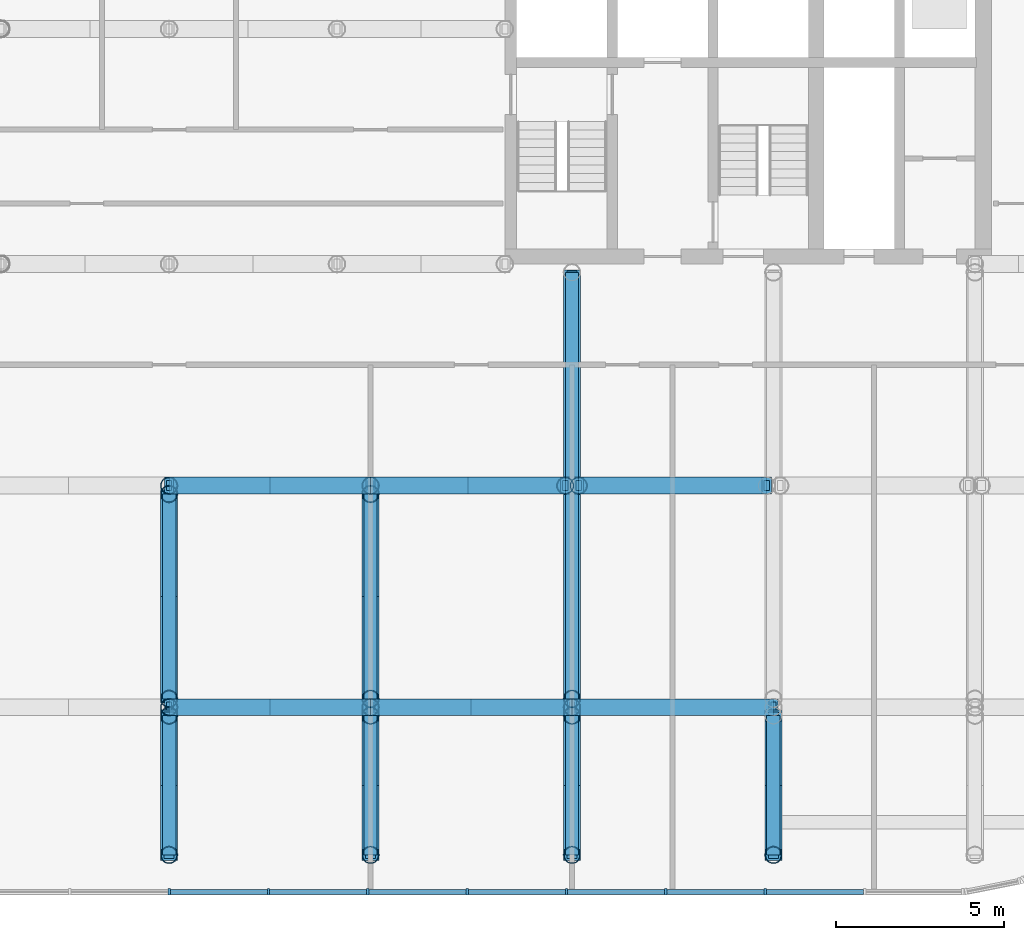
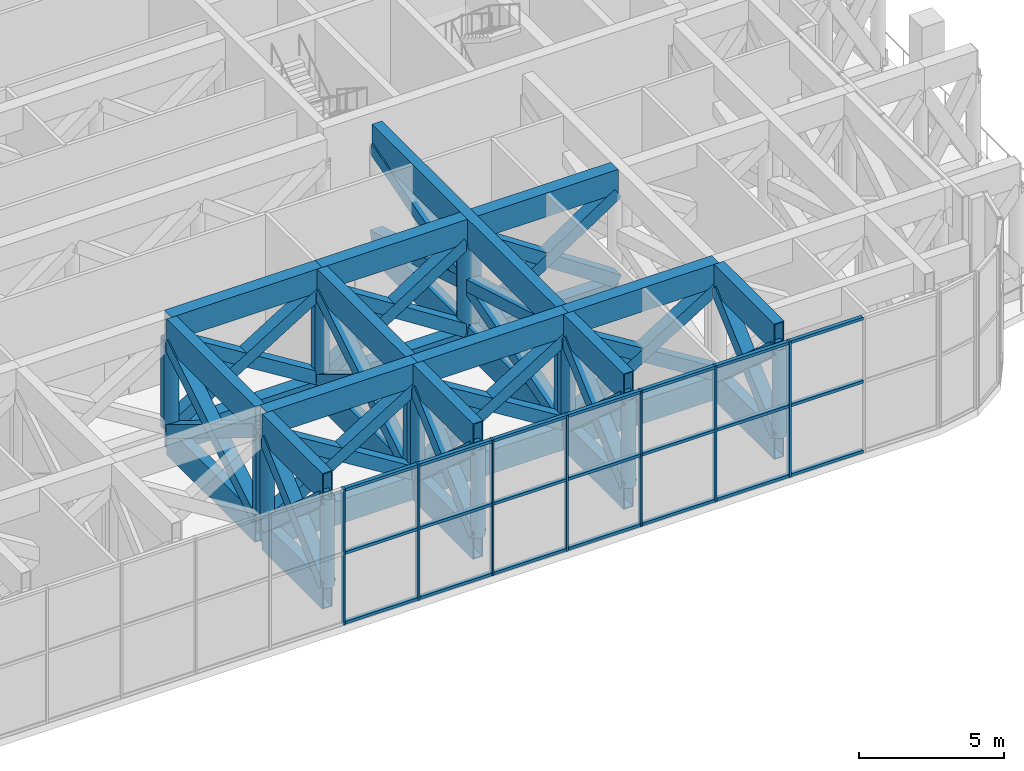
# One storey, part 4 of 25: 73 members, 26 beams, 1 element without a shape of its own.
"""IFC4 building model written with IfcOpenShell, lengths in metres."""

from ifc_helpers import new_model, si_unit, direction, frame, origin, origin_2d, place, context, subcontext, project, spatial, rectangle, hollow_rectangle, hollow_circle, extrude, material, layer, layer_set, material_profile, profile_set, type_object, element, aggregate, save


model = new_model("IFC4")

# Units and contexts
model_context = context("Model", 3, precision=1e-05, world=origin(), true_north=direction((0.0, 1.0)))
body_context = subcontext(model_context, "Body", "Model", "MODEL_VIEW")
ifc_project = project(units=[si_unit("LENGTHUNIT", "METRE"), si_unit("AREAUNIT", "SQUARE_METRE"), si_unit("VOLUMEUNIT", "CUBIC_METRE"), si_unit("PLANEANGLEUNIT", "RADIAN"), si_unit("MASSUNIT", "GRAM", prefix="KILO")], contexts=[model_context])

# Site, building, storey
site_placement = place(None, origin())
site = spatial("IfcSite", under=ifc_project, at=site_placement, CompositionType="ELEMENT")
building_placement = place(site_placement, origin())
building = spatial("IfcBuilding", under=site, at=building_placement, Name="Torana Hotel and Residences", CompositionType="ELEMENT")
storey_placement = place(building_placement, frame((0.0, 0.0, 106.800048828125)))
storey = spatial("IfcBuildingStorey", under=building, at=storey_placement, Name="L27", CompositionType="ELEMENT", Elevation=106.800048828125)

# Curtain wall, members
ifc_material_1 = material(Name="Dark anodised aluminium", Category="aluminium")
ifc_layer = layer(ifc_material_1, 0.199951171875)
ifc_layer_set = layer_set([ifc_layer], Name="CW2 SKY LOBBY UNITISED CURTAIN WALL")
curtain_wall_type = type_object("IfcCurtainWallType", Name="CW2 SKY LOBBY UNITISED CURTAIN WALL", PredefinedType="NOTDEFINED", material=ifc_layer_set)
curtain_wall_placement = place(storey_placement, origin())
curtain_wall = element("IfcCurtainWall", 1, at=curtain_wall_placement, inside=storey, type_object=curtain_wall_type, Name="Curtain wall CW2 L27 e0.14-1", PredefinedType="NOTDEFINED")
ifc_material_2 = material(Name="Dark anodised aluminium", Category="aluminium")
ifc_material_profile_1 = material_profile(ifc_material_2, rectangle(XDim=0.199951171875, YDim=0.070068359375, at=origin_2d()), Name="CW2 MULLION 70x200")
ifc_profile_set_1 = profile_set([ifc_material_profile_1], Name="Dark anodised aluminium")
member_type_1 = type_object("IfcMemberType", Name="CW2 MULLION 70x200", PredefinedType="MULLION", material=ifc_profile_set_1)
member_1_placement = place(storey_placement, frame((0.0, -33.699951171875, 0.0), z_axis=(0.0, 0.0, 1.0), x_axis=(0.0, 1.0, 0.0)))
member_1 = element("IfcMember", 2, at=member_1_placement, type_object=member_type_1, Name="CW2 mullion 9", PredefinedType="MULLION", context=body_context, shape_type="SweptSolid", body=[
    extrude(rectangle(XDim=0.199951171875, YDim=0.070068359375, at=origin_2d()), origin(), (0.0, 0.0, 1.0), 5.719970703125),
])
member_2_placement = place(storey_placement, frame((2.95947265625, -33.699951171875, 0.0), z_axis=(0.0, 0.0, 1.0), x_axis=(0.0, 1.0, 0.0)))
member_2 = element("IfcMember", 3, at=member_2_placement, type_object=member_type_1, Name="CW2 mullion 10", PredefinedType="MULLION", context=body_context, shape_type="SweptSolid", body=[
    extrude(rectangle(XDim=0.199951171875, YDim=0.070068359375, at=origin_2d()), origin(), (0.0, 0.0, 1.0), 5.719970703125),
])
member_3_placement = place(storey_placement, frame((5.9189453125, -33.699951171875, 0.0), z_axis=(0.0, 0.0, 1.0), x_axis=(0.0, 1.0, 0.0)))
member_3 = element("IfcMember", 4, at=member_3_placement, type_object=member_type_1, Name="CW2 mullion 11", PredefinedType="MULLION", context=body_context, shape_type="SweptSolid", body=[
    extrude(rectangle(XDim=0.199951171875, YDim=0.070068359375, at=origin_2d()), origin(), (0.0, 0.0, 1.0), 5.719970703125),
])
member_4_placement = place(storey_placement, frame((8.878173828125, -33.699951171875, 0.0), z_axis=(0.0, 0.0, 1.0), x_axis=(0.0, 1.0, 0.0)))
member_4 = element("IfcMember", 5, at=member_4_placement, type_object=member_type_1, Name="CW2 mullion 12", PredefinedType="MULLION", context=body_context, shape_type="SweptSolid", body=[
    extrude(rectangle(XDim=0.199951171875, YDim=0.070068359375, at=origin_2d()), origin(), (0.0, 0.0, 1.0), 5.719970703125),
])
member_5_placement = place(storey_placement, frame((11.837646484375, -33.699951171875, 0.0), z_axis=(0.0, 0.0, 1.0), x_axis=(0.0, 1.0, 0.0)))
member_5 = element("IfcMember", 6, at=member_5_placement, type_object=member_type_1, Name="CW2 mullion 13", PredefinedType="MULLION", context=body_context, shape_type="SweptSolid", body=[
    extrude(rectangle(XDim=0.199951171875, YDim=0.070068359375, at=origin_2d()), origin(), (0.0, 0.0, 1.0), 5.719970703125),
])
member_6_placement = place(storey_placement, frame((14.797119140625, -33.699951171875, 0.0), z_axis=(0.0, 0.0, 1.0), x_axis=(0.0, 1.0, 0.0)))
member_6 = element("IfcMember", 7, at=member_6_placement, type_object=member_type_1, Name="CW2 mullion 14", PredefinedType="MULLION", context=body_context, shape_type="SweptSolid", body=[
    extrude(rectangle(XDim=0.199951171875, YDim=0.070068359375, at=origin_2d()), origin(), (0.0, 0.0, 1.0), 5.719970703125),
])
member_7_placement = place(storey_placement, frame((17.756591796875, -33.699951171875, 0.0), z_axis=(0.0, 0.0, 1.0), x_axis=(0.0, 1.0, 0.0)))
member_7 = element("IfcMember", 8, at=member_7_placement, type_object=member_type_1, Name="CW2 mullion 15", PredefinedType="MULLION", context=body_context, shape_type="SweptSolid", body=[
    extrude(rectangle(XDim=0.199951171875, YDim=0.070068359375, at=origin_2d()), origin(), (0.0, 0.0, 1.0), 5.719970703125),
])
ifc_material_3 = material(Name="Dark anodised aluminium", Category="aluminium")
ifc_material_profile_2 = material_profile(ifc_material_3, rectangle(XDim=0.14990234375, YDim=0.1201171875, at=origin_2d()), Name="CW2 TRANSOM 150x120")
ifc_profile_set_2 = profile_set([ifc_material_profile_2], Name="Dark anodised aluminium")
member_type_2 = type_object("IfcMemberType", Name="CW2 TRANSOM 150x120", PredefinedType="USERDEFINED", material=ifc_profile_set_2)
member_8_placement = place(storey_placement, frame((0.034912109375, -33.699951171875, 0.06005859375), z_axis=(1.0, 0.0, 0.0), x_axis=(0.0, 1.0, 0.0)))
member_8 = element("IfcMember", 9, at=member_8_placement, type_object=member_type_2, Name="CW2 transom 9.1", ObjectType="TRANSOM", PredefinedType="USERDEFINED", context=body_context, shape_type="SweptSolid", body=[
    extrude(rectangle(XDim=0.14990234375, YDim=0.1201171875, at=origin_2d()), origin(), (0.0, 0.0, 1.0), 2.889404296875),
])
member_9_placement = place(storey_placement, frame((0.034912109375, -33.699951171875, 3.0), z_axis=(1.0, 0.0, 0.0), x_axis=(0.0, 1.0, 0.0)))
member_9 = element("IfcMember", 10, at=member_9_placement, type_object=member_type_2, Name="CW2 transom 9.2", ObjectType="TRANSOM", PredefinedType="USERDEFINED", context=body_context, shape_type="SweptSolid", body=[
    extrude(rectangle(XDim=0.14990234375, YDim=0.1201171875, at=origin_2d()), origin(), (0.0, 0.0, 1.0), 2.889404296875),
])
member_10_placement = place(storey_placement, frame((0.034912109375, -33.699951171875, 5.659912109375), z_axis=(1.0, 0.0, 0.0), x_axis=(0.0, 1.0, 0.0)))
member_10 = element("IfcMember", 11, at=member_10_placement, type_object=member_type_2, Name="CW2 transom 9.3", ObjectType="TRANSOM", PredefinedType="USERDEFINED", context=body_context, shape_type="SweptSolid", body=[
    extrude(rectangle(XDim=0.14990234375, YDim=0.1201171875, at=origin_2d()), origin(), (0.0, 0.0, 1.0), 2.889404296875),
])
member_11_placement = place(storey_placement, frame((2.994384765625, -33.699951171875, 0.06005859375), z_axis=(1.0, 0.0, 0.0), x_axis=(0.0, 1.0, 0.0)))
member_11 = element("IfcMember", 12, at=member_11_placement, type_object=member_type_2, Name="CW2 transom 10.1", ObjectType="TRANSOM", PredefinedType="USERDEFINED", context=body_context, shape_type="SweptSolid", body=[
    extrude(rectangle(XDim=0.14990234375, YDim=0.1201171875, at=origin_2d()), origin(), (0.0, 0.0, 1.0), 2.889404296875),
])
member_12_placement = place(storey_placement, frame((2.994384765625, -33.699951171875, 3.0), z_axis=(1.0, 0.0, 0.0), x_axis=(0.0, 1.0, 0.0)))
member_12 = element("IfcMember", 13, at=member_12_placement, type_object=member_type_2, Name="CW2 transom 10.2", ObjectType="TRANSOM", PredefinedType="USERDEFINED", context=body_context, shape_type="SweptSolid", body=[
    extrude(rectangle(XDim=0.14990234375, YDim=0.1201171875, at=origin_2d()), origin(), (0.0, 0.0, 1.0), 2.889404296875),
])
member_13_placement = place(storey_placement, frame((2.994384765625, -33.699951171875, 5.659912109375), z_axis=(1.0, 0.0, 0.0), x_axis=(0.0, 1.0, 0.0)))
member_13 = element("IfcMember", 14, at=member_13_placement, type_object=member_type_2, Name="CW2 transom 10.3", ObjectType="TRANSOM", PredefinedType="USERDEFINED", context=body_context, shape_type="SweptSolid", body=[
    extrude(rectangle(XDim=0.14990234375, YDim=0.1201171875, at=origin_2d()), origin(), (0.0, 0.0, 1.0), 2.889404296875),
])
member_14_placement = place(storey_placement, frame((5.953857421875, -33.699951171875, 0.06005859375), z_axis=(1.0, 0.0, 0.0), x_axis=(0.0, 1.0, 0.0)))
member_14 = element("IfcMember", 15, at=member_14_placement, type_object=member_type_2, Name="CW2 transom 11.1", ObjectType="TRANSOM", PredefinedType="USERDEFINED", context=body_context, shape_type="SweptSolid", body=[
    extrude(rectangle(XDim=0.14990234375, YDim=0.1201171875, at=origin_2d()), origin(), (0.0, 0.0, 1.0), 2.889404296875),
])
member_15_placement = place(storey_placement, frame((5.953857421875, -33.699951171875, 3.0), z_axis=(1.0, 0.0, 0.0), x_axis=(0.0, 1.0, 0.0)))
member_15 = element("IfcMember", 16, at=member_15_placement, type_object=member_type_2, Name="CW2 transom 11.2", ObjectType="TRANSOM", PredefinedType="USERDEFINED", context=body_context, shape_type="SweptSolid", body=[
    extrude(rectangle(XDim=0.14990234375, YDim=0.1201171875, at=origin_2d()), origin(), (0.0, 0.0, 1.0), 2.889404296875),
])
member_16_placement = place(storey_placement, frame((5.953857421875, -33.699951171875, 5.659912109375), z_axis=(1.0, 0.0, 0.0), x_axis=(0.0, 1.0, 0.0)))
member_16 = element("IfcMember", 17, at=member_16_placement, type_object=member_type_2, Name="CW2 transom 11.3", ObjectType="TRANSOM", PredefinedType="USERDEFINED", context=body_context, shape_type="SweptSolid", body=[
    extrude(rectangle(XDim=0.14990234375, YDim=0.1201171875, at=origin_2d()), origin(), (0.0, 0.0, 1.0), 2.889404296875),
])
member_17_placement = place(storey_placement, frame((8.913330078125, -33.699951171875, 0.06005859375), z_axis=(1.0, 0.0, 0.0), x_axis=(0.0, 1.0, 0.0)))
member_17 = element("IfcMember", 18, at=member_17_placement, type_object=member_type_2, Name="CW2 transom 12.1", ObjectType="TRANSOM", PredefinedType="USERDEFINED", context=body_context, shape_type="SweptSolid", body=[
    extrude(rectangle(XDim=0.14990234375, YDim=0.1201171875, at=origin_2d()), origin(), (0.0, 0.0, 1.0), 2.889404296875),
])
member_18_placement = place(storey_placement, frame((8.913330078125, -33.699951171875, 3.0), z_axis=(1.0, 0.0, 0.0), x_axis=(0.0, 1.0, 0.0)))
member_18 = element("IfcMember", 19, at=member_18_placement, type_object=member_type_2, Name="CW2 transom 12.2", ObjectType="TRANSOM", PredefinedType="USERDEFINED", context=body_context, shape_type="SweptSolid", body=[
    extrude(rectangle(XDim=0.14990234375, YDim=0.1201171875, at=origin_2d()), origin(), (0.0, 0.0, 1.0), 2.889404296875),
])
member_19_placement = place(storey_placement, frame((8.913330078125, -33.699951171875, 5.659912109375), z_axis=(1.0, 0.0, 0.0), x_axis=(0.0, 1.0, 0.0)))
member_19 = element("IfcMember", 20, at=member_19_placement, type_object=member_type_2, Name="CW2 transom 12.3", ObjectType="TRANSOM", PredefinedType="USERDEFINED", context=body_context, shape_type="SweptSolid", body=[
    extrude(rectangle(XDim=0.14990234375, YDim=0.1201171875, at=origin_2d()), origin(), (0.0, 0.0, 1.0), 2.889404296875),
])
member_20_placement = place(storey_placement, frame((11.872802734375, -33.699951171875, 0.06005859375), z_axis=(1.0, 0.0, 0.0), x_axis=(0.0, 1.0, 0.0)))
member_20 = element("IfcMember", 21, at=member_20_placement, type_object=member_type_2, Name="CW2 transom 13.1", ObjectType="TRANSOM", PredefinedType="USERDEFINED", context=body_context, shape_type="SweptSolid", body=[
    extrude(rectangle(XDim=0.14990234375, YDim=0.1201171875, at=origin_2d()), origin(), (0.0, 0.0, 1.0), 2.889404296875),
])
member_21_placement = place(storey_placement, frame((11.872802734375, -33.699951171875, 3.0), z_axis=(1.0, 0.0, 0.0), x_axis=(0.0, 1.0, 0.0)))
member_21 = element("IfcMember", 22, at=member_21_placement, type_object=member_type_2, Name="CW2 transom 13.2", ObjectType="TRANSOM", PredefinedType="USERDEFINED", context=body_context, shape_type="SweptSolid", body=[
    extrude(rectangle(XDim=0.14990234375, YDim=0.1201171875, at=origin_2d()), origin(), (0.0, 0.0, 1.0), 2.889404296875),
])
member_22_placement = place(storey_placement, frame((11.872802734375, -33.699951171875, 5.659912109375), z_axis=(1.0, 0.0, 0.0), x_axis=(0.0, 1.0, 0.0)))
member_22 = element("IfcMember", 23, at=member_22_placement, type_object=member_type_2, Name="CW2 transom 13.3", ObjectType="TRANSOM", PredefinedType="USERDEFINED", context=body_context, shape_type="SweptSolid", body=[
    extrude(rectangle(XDim=0.14990234375, YDim=0.1201171875, at=origin_2d()), origin(), (0.0, 0.0, 1.0), 2.889404296875),
])
member_23_placement = place(storey_placement, frame((14.83203125, -33.699951171875, 0.06005859375), z_axis=(1.0, 0.0, 0.0), x_axis=(0.0, 1.0, 0.0)))
member_23 = element("IfcMember", 24, at=member_23_placement, type_object=member_type_2, Name="CW2 transom 14.1", ObjectType="TRANSOM", PredefinedType="USERDEFINED", context=body_context, shape_type="SweptSolid", body=[
    extrude(rectangle(XDim=0.14990234375, YDim=0.1201171875, at=origin_2d()), origin(), (0.0, 0.0, 1.0), 2.889404296875),
])
member_24_placement = place(storey_placement, frame((14.83203125, -33.699951171875, 3.0), z_axis=(1.0, 0.0, 0.0), x_axis=(0.0, 1.0, 0.0)))
member_24 = element("IfcMember", 25, at=member_24_placement, type_object=member_type_2, Name="CW2 transom 14.2", ObjectType="TRANSOM", PredefinedType="USERDEFINED", context=body_context, shape_type="SweptSolid", body=[
    extrude(rectangle(XDim=0.14990234375, YDim=0.1201171875, at=origin_2d()), origin(), (0.0, 0.0, 1.0), 2.889404296875),
])
member_25_placement = place(storey_placement, frame((14.83203125, -33.699951171875, 5.659912109375), z_axis=(1.0, 0.0, 0.0), x_axis=(0.0, 1.0, 0.0)))
member_25 = element("IfcMember", 26, at=member_25_placement, type_object=member_type_2, Name="CW2 transom 14.3", ObjectType="TRANSOM", PredefinedType="USERDEFINED", context=body_context, shape_type="SweptSolid", body=[
    extrude(rectangle(XDim=0.14990234375, YDim=0.1201171875, at=origin_2d()), origin(), (0.0, 0.0, 1.0), 2.889404296875),
])
member_26_placement = place(storey_placement, frame((17.79150390625, -33.699951171875, 0.06005859375), z_axis=(1.0, 0.0, 0.0), x_axis=(0.0, 1.0, 0.0)))
member_26 = element("IfcMember", 27, at=member_26_placement, type_object=member_type_2, Name="CW2 transom 15.1", ObjectType="TRANSOM", PredefinedType="USERDEFINED", context=body_context, shape_type="SweptSolid", body=[
    extrude(rectangle(XDim=0.14990234375, YDim=0.1201171875, at=origin_2d()), origin(), (0.0, 0.0, 1.0), 2.889404296875),
])
member_27_placement = place(storey_placement, frame((17.79150390625, -33.699951171875, 3.0), z_axis=(1.0, 0.0, 0.0), x_axis=(0.0, 1.0, 0.0)))
member_27 = element("IfcMember", 28, at=member_27_placement, type_object=member_type_2, Name="CW2 transom 15.2", ObjectType="TRANSOM", PredefinedType="USERDEFINED", context=body_context, shape_type="SweptSolid", body=[
    extrude(rectangle(XDim=0.14990234375, YDim=0.1201171875, at=origin_2d()), origin(), (0.0, 0.0, 1.0), 2.889404296875),
])
member_28_placement = place(storey_placement, frame((17.79150390625, -33.699951171875, 5.659912109375), z_axis=(1.0, 0.0, 0.0), x_axis=(0.0, 1.0, 0.0)))
member_28 = element("IfcMember", 29, at=member_28_placement, type_object=member_type_2, Name="CW2 transom 15.3", ObjectType="TRANSOM", PredefinedType="USERDEFINED", context=body_context, shape_type="SweptSolid", body=[
    extrude(rectangle(XDim=0.14990234375, YDim=0.1201171875, at=origin_2d()), origin(), (0.0, 0.0, 1.0), 2.889404296875),
])
aggregate(curtain_wall, [member_1, member_2, member_3, member_4, member_5, member_6, member_7, member_8, member_9, member_10, member_11, member_12, member_13, member_14, member_15, member_16, member_17, member_18, member_19, member_20, member_21, member_22, member_23, member_24, member_25, member_26, member_27, member_28])

# Beams
ifc_material_4 = material(Name="Steel S355", Category="steel")
ifc_material_profile_3 = material_profile(ifc_material_4, hollow_rectangle(XDim=0.5, YDim=1.0, WallThickness=0.050048828125, at=origin_2d()), Name="BOX 1000x500x50")
ifc_profile_set_3 = profile_set([ifc_material_profile_3], Name="Steel S355")
beam_type_1 = type_object("IfcBeamType", Name="STEEL CHORD BOX 1000x500x50", PredefinedType="BEAM", material=ifc_profile_set_3)
for number, where, z_axis, x_axis, name in (
    (30, (0.0, -28.199951171875, 0.5), (1.0, 0.0, 0.0), (0.0, 1.0, 0.0), "Transfer chord L27"),
    (31, (0.0, -28.199951171875, 5.219970703125), (1.0, 0.0, 0.0), (0.0, 1.0, 0.0), "Transfer chord L27"),
    (32, (6.0, -28.199951171875, 0.5), (1.0, 0.0, 0.0), (0.0, 1.0, 0.0), "Transfer chord L27"),
    (33, (6.0, -28.199951171875, 5.219970703125), (1.0, 0.0, 0.0), (0.0, 1.0, 0.0), "Transfer chord L27"),
    (34, (12.0, -28.199951171875, 0.5), (1.0, 0.0, 0.0), (0.0, 1.0, 0.0), "Transfer chord L27"),
    (35, (12.0, -28.199951171875, 5.219970703125), (1.0, 0.0, 0.0), (0.0, 1.0, 0.0), "Transfer chord L27"),
    (36, (0.0, -21.60009765625, 0.5), (1.0, 0.0, 0.0), (0.0, 1.0, 0.0), "Transfer chord L27"),
    (37, (0.0, -21.60009765625, 5.219970703125), (1.0, 0.0, 0.0), (0.0, 1.0, 0.0), "Transfer chord L27"),
):
    element("IfcBeam", number, at=place(storey_placement, frame(where, z_axis=z_axis, x_axis=x_axis)), inside=storey, type_object=beam_type_1, Name=name, PredefinedType="BEAM", context=body_context, shape_type="SweptSolid", body=[
        extrude(hollow_rectangle(XDim=0.5, YDim=1.0, WallThickness=0.050048828125, at=origin_2d()), origin(), (0.0, 0.0, 1.0), 6.0),
    ])
for number, where, z_axis, x_axis, name in (
    (38, (6.0, -21.60009765625, 0.5), (1.0, 0.0, 0.0), (0.0, 1.0, 0.0), "Transfer chord L27"),
    (39, (6.0, -21.60009765625, 5.219970703125), (1.0, 0.0, 0.0), (0.0, 1.0, 0.0), "Transfer chord L27"),
):
    element("IfcBeam", number, at=place(storey_placement, frame(where, z_axis=z_axis, x_axis=x_axis)), inside=storey, type_object=beam_type_1, Name=name, PredefinedType="BEAM", context=body_context, shape_type="SweptSolid", body=[
        extrude(hollow_rectangle(XDim=0.5, YDim=1.0, WallThickness=0.050048828125, at=origin_2d()), origin(), (0.0, 0.0, 1.0), 5.800048828125),
    ])
for number, where, z_axis, x_axis, name in (
    (40, (12.199951171875, -21.60009765625, 0.5), (1.0, 0.0, 0.0), (0.0, 1.0, 0.0), "Transfer chord L27"),
    (41, (12.199951171875, -21.60009765625, 5.219970703125), (1.0, 0.0, 0.0), (0.0, 1.0, 0.0), "Transfer chord L27"),
):
    element("IfcBeam", number, at=place(storey_placement, frame(where, z_axis=z_axis, x_axis=x_axis)), inside=storey, type_object=beam_type_1, Name=name, PredefinedType="BEAM", context=body_context, shape_type="SweptSolid", body=[
        extrude(hollow_rectangle(XDim=0.5, YDim=1.0, WallThickness=0.050048828125, at=origin_2d()), origin(), (0.0, 0.0, 1.0), 5.60009765625),
    ])
ifc_material_5 = material(Name="Steel S355", Category="steel")
ifc_material_profile_4 = material_profile(ifc_material_5, hollow_rectangle(XDim=0.39990234375, YDim=1.199951171875, WallThickness=0.0400390625, at=origin_2d()), Name="BOX 1200x400x40")
ifc_profile_set_4 = profile_set([ifc_material_profile_4], Name="Steel S355")
beam_type_2 = type_object("IfcBeamType", Name="STEEL CHORD BOX 1200x400x40", PredefinedType="BEAM", material=ifc_profile_set_4)
for number, where, z_axis, x_axis, name in (
    (42, (0.0, -32.60009765625, 0.599853515625), (0.0, 1.0, 0.0), (-1.0, 0.0, 0.0), "Transfer chord L27"),
    (43, (0.0, -32.60009765625, 5.119873046875), (0.0, 1.0, 0.0), (-1.0, 0.0, 0.0), "Transfer chord L27"),
):
    element("IfcBeam", number, at=place(storey_placement, frame(where, z_axis=z_axis, x_axis=x_axis)), inside=storey, type_object=beam_type_2, Name=name, PredefinedType="BEAM", context=body_context, shape_type="SweptSolid", body=[
        extrude(hollow_rectangle(XDim=0.39990234375, YDim=1.199951171875, WallThickness=0.0400390625, at=origin_2d()), origin(), (0.0, 0.0, 1.0), 4.150146484375),
    ])
for number, where, z_axis, x_axis, name in (
    (44, (0.0, -27.949951171875, 0.599853515625), (0.0, 1.0, 0.0), (-1.0, 0.0, 0.0), "Transfer chord L27"),
    (45, (0.0, -27.949951171875, 5.119873046875), (0.0, 1.0, 0.0), (-1.0, 0.0, 0.0), "Transfer chord L27"),
):
    element("IfcBeam", number, at=place(storey_placement, frame(where, z_axis=z_axis, x_axis=x_axis)), inside=storey, type_object=beam_type_2, Name=name, PredefinedType="BEAM", context=body_context, shape_type="SweptSolid", body=[
        extrude(hollow_rectangle(XDim=0.39990234375, YDim=1.199951171875, WallThickness=0.0400390625, at=origin_2d()), origin(), (0.0, 0.0, 1.0), 6.099853515625),
    ])
for number, where, z_axis, x_axis, name in (
    (46, (6.0, -32.60009765625, 0.599853515625), (0.0, 1.0, 0.0), (-1.0, 0.0, 0.0), "Transfer chord L27"),
    (47, (6.0, -32.60009765625, 5.119873046875), (0.0, 1.0, 0.0), (-1.0, 0.0, 0.0), "Transfer chord L27"),
):
    element("IfcBeam", number, at=place(storey_placement, frame(where, z_axis=z_axis, x_axis=x_axis)), inside=storey, type_object=beam_type_2, Name=name, PredefinedType="BEAM", context=body_context, shape_type="SweptSolid", body=[
        extrude(hollow_rectangle(XDim=0.39990234375, YDim=1.199951171875, WallThickness=0.0400390625, at=origin_2d()), origin(), (0.0, 0.0, 1.0), 4.150146484375),
    ])
for number, where, z_axis, x_axis, name in (
    (48, (6.0, -27.949951171875, 0.599853515625), (0.0, 1.0, 0.0), (-1.0, 0.0, 0.0), "Transfer chord L27"),
    (49, (6.0, -27.949951171875, 5.119873046875), (0.0, 1.0, 0.0), (-1.0, 0.0, 0.0), "Transfer chord L27"),
):
    element("IfcBeam", number, at=place(storey_placement, frame(where, z_axis=z_axis, x_axis=x_axis)), inside=storey, type_object=beam_type_2, Name=name, PredefinedType="BEAM", context=body_context, shape_type="SweptSolid", body=[
        extrude(hollow_rectangle(XDim=0.39990234375, YDim=1.199951171875, WallThickness=0.0400390625, at=origin_2d()), origin(), (0.0, 0.0, 1.0), 6.099853515625),
    ])
for number, where, z_axis, x_axis, name in (
    (50, (12.0, -32.60009765625, 0.599853515625), (0.0, 1.0, 0.0), (-1.0, 0.0, 0.0), "Transfer chord L27"),
    (51, (12.0, -32.60009765625, 5.119873046875), (0.0, 1.0, 0.0), (-1.0, 0.0, 0.0), "Transfer chord L27"),
):
    element("IfcBeam", number, at=place(storey_placement, frame(where, z_axis=z_axis, x_axis=x_axis)), inside=storey, type_object=beam_type_2, Name=name, PredefinedType="BEAM", context=body_context, shape_type="SweptSolid", body=[
        extrude(hollow_rectangle(XDim=0.39990234375, YDim=1.199951171875, WallThickness=0.0400390625, at=origin_2d()), origin(), (0.0, 0.0, 1.0), 4.150146484375),
    ])
for number, where, z_axis, x_axis, name in (
    (52, (12.0, -27.949951171875, 0.599853515625), (0.0, 1.0, 0.0), (-1.0, 0.0, 0.0), "Transfer chord L27"),
    (53, (12.0, -27.949951171875, 5.119873046875), (0.0, 1.0, 0.0), (-1.0, 0.0, 0.0), "Transfer chord L27"),
):
    element("IfcBeam", number, at=place(storey_placement, frame(where, z_axis=z_axis, x_axis=x_axis)), inside=storey, type_object=beam_type_2, Name=name, PredefinedType="BEAM", context=body_context, shape_type="SweptSolid", body=[
        extrude(hollow_rectangle(XDim=0.39990234375, YDim=1.199951171875, WallThickness=0.0400390625, at=origin_2d()), origin(), (0.0, 0.0, 1.0), 12.699951171875),
    ])
for number, where, z_axis, x_axis, name in (
    (54, (18.0, -32.60009765625, 0.599853515625), (0.0, 1.0, 0.0), (-1.0, 0.0, 0.0), "Transfer chord L27"),
    (55, (18.0, -32.60009765625, 5.119873046875), (0.0, 1.0, 0.0), (-1.0, 0.0, 0.0), "Transfer chord L27"),
):
    element("IfcBeam", number, at=place(storey_placement, frame(where, z_axis=z_axis, x_axis=x_axis)), inside=storey, type_object=beam_type_2, Name=name, PredefinedType="BEAM", context=body_context, shape_type="SweptSolid", body=[
        extrude(hollow_rectangle(XDim=0.39990234375, YDim=1.199951171875, WallThickness=0.0400390625, at=origin_2d()), origin(), (0.0, 0.0, 1.0), 4.150146484375),
    ])

# Members
ifc_material_6 = material(Name="Steel S355", Category="steel")
ifc_material_profile_5 = material_profile(ifc_material_6, hollow_rectangle(XDim=0.5, YDim=0.5, WallThickness=0.10009765625, at=origin_2d()), Name="BOX 500x500x100")
ifc_profile_set_5 = profile_set([ifc_material_profile_5], Name="Steel S355")
member_type_3 = type_object("IfcMemberType", Name="STEEL DIAGONAL BOX 500x500x100", PredefinedType="BRACE", material=ifc_profile_set_5)
for number, where, z_axis, x_axis, name in (
    (56, (0.0, -28.199951171875, 1.0), (0.84990455024, 0.0, 0.526936671224), (0.0, 1.0, 0.0), "Truss diagonal L27"),
    (57, (6.0, -28.199951171875, 1.0), (-0.84990455024, 0.0, 0.526936671224), (0.0, -1.0, 0.0), "Truss diagonal L27"),
    (58, (6.0, -28.199951171875, 1.0), (0.84990455024, 0.0, 0.526936671224), (0.0, 1.0, 0.0), "Truss diagonal L27"),
    (59, (12.0, -28.199951171875, 1.0), (-0.84990455024, 0.0, 0.526936671224), (0.0, -1.0, 0.0), "Truss diagonal L27"),
    (60, (12.0, -28.199951171875, 1.0), (0.84990455024, 0.0, 0.526936671224), (0.0, 1.0, 0.0), "Truss diagonal L27"),
    (61, (18.0, -28.199951171875, 1.0), (-0.84990455024, 0.0, 0.526936671224), (0.0, -1.0, 0.0), "Truss diagonal L27"),
    (62, (0.0, -21.60009765625, 1.0), (0.84990455024, 0.0, 0.526936671224), (0.0, 1.0, 0.0), "Truss diagonal L27"),
    (63, (6.0, -21.60009765625, 1.0), (-0.84990455024, 0.0, 0.526936671224), (0.0, -1.0, 0.0), "Truss diagonal L27"),
):
    element("IfcMember", number, at=place(storey_placement, frame(where, z_axis=z_axis, x_axis=x_axis)), inside=storey, type_object=member_type_3, Name=name, PredefinedType="BRACE", context=body_context, shape_type="SweptSolid", body=[
        extrude(hollow_rectangle(XDim=0.5, YDim=0.5, WallThickness=0.10009765625, at=origin_2d()), origin(), (0.0, 0.0, 1.0), 7.0595703125),
    ])
for number, where, z_axis, x_axis, name in (
    (64, (6.0, -21.60009765625, 1.0), (0.841747855443, 0.0, 0.539870862204), (0.0, 1.0, 0.0), "Truss diagonal L27"),
    (65, (11.800048828125, -21.60009765625, 1.0), (-0.841747855443, 0.0, 0.539870862204), (0.0, -1.0, 0.0), "Truss diagonal L27"),
):
    element("IfcMember", number, at=place(storey_placement, frame(where, z_axis=z_axis, x_axis=x_axis)), inside=storey, type_object=member_type_3, Name=name, PredefinedType="BRACE", context=body_context, shape_type="SweptSolid", body=[
        extrude(hollow_rectangle(XDim=0.5, YDim=0.5, WallThickness=0.10009765625, at=origin_2d()), origin(), (0.0, 0.0, 1.0), 6.890380859375),
    ])
for number, where, z_axis, x_axis, name in (
    (66, (12.199951171875, -21.60009765625, 1.0), (0.832970962809, 0.0, 0.553316704173), (0.0, 1.0, 0.0), "Truss diagonal L27"),
    (67, (17.800048828125, -21.60009765625, 1.0), (-0.832970962809, 0.0, 0.553316704173), (0.0, -1.0, 0.0), "Truss diagonal L27"),
):
    element("IfcMember", number, at=place(storey_placement, frame(where, z_axis=z_axis, x_axis=x_axis)), inside=storey, type_object=member_type_3, Name=name, PredefinedType="BRACE", context=body_context, shape_type="SweptSolid", body=[
        extrude(hollow_rectangle(XDim=0.5, YDim=0.5, WallThickness=0.10009765625, at=origin_2d()), origin(), (0.0, 0.0, 1.0), 6.72314453125),
    ])
for number, where, z_axis, x_axis, name in (
    (68, (0.0, -32.60009765625, 1.0), (0.0, 0.74464526482, 0.66746043297), (-1.0, 0.0, 0.0), "Truss diagonal L27"),
    (69, (0.0, -28.449951171875, 1.0), (0.0, -0.74464526482, 0.66746043297), (1.0, 0.0, 0.0), "Truss diagonal L27"),
):
    element("IfcMember", number, at=place(storey_placement, frame(where, z_axis=z_axis, x_axis=x_axis)), inside=storey, type_object=member_type_3, Name=name, PredefinedType="BRACE", context=body_context, shape_type="SweptSolid", body=[
        extrude(hollow_rectangle(XDim=0.5, YDim=0.5, WallThickness=0.10009765625, at=origin_2d()), origin(), (0.0, 0.0, 1.0), 5.5732421875),
    ])
for number, where, z_axis, x_axis, name in (
    (70, (0.0, -27.949951171875, 1.0), (0.0, 0.853762091888, 0.520663317755), (-1.0, 0.0, 0.0), "Truss diagonal L27"),
    (71, (0.0, -21.85009765625, 1.0), (0.0, -0.853762091888, 0.520663317755), (1.0, 0.0, 0.0), "Truss diagonal L27"),
):
    element("IfcMember", number, at=place(storey_placement, frame(where, z_axis=z_axis, x_axis=x_axis)), inside=storey, type_object=member_type_3, Name=name, PredefinedType="BRACE", context=body_context, shape_type="SweptSolid", body=[
        extrude(hollow_rectangle(XDim=0.5, YDim=0.5, WallThickness=0.10009765625, at=origin_2d()), origin(), (0.0, 0.0, 1.0), 7.144775390625),
    ])
for number, where, z_axis, x_axis, name in (
    (72, (6.0, -32.60009765625, 1.0), (0.0, 0.74464526482, 0.66746043297), (-1.0, 0.0, 0.0), "Truss diagonal L27"),
    (73, (6.0, -28.449951171875, 1.0), (0.0, -0.74464526482, 0.66746043297), (1.0, 0.0, 0.0), "Truss diagonal L27"),
):
    element("IfcMember", number, at=place(storey_placement, frame(where, z_axis=z_axis, x_axis=x_axis)), inside=storey, type_object=member_type_3, Name=name, PredefinedType="BRACE", context=body_context, shape_type="SweptSolid", body=[
        extrude(hollow_rectangle(XDim=0.5, YDim=0.5, WallThickness=0.10009765625, at=origin_2d()), origin(), (0.0, 0.0, 1.0), 5.5732421875),
    ])
for number, where, z_axis, x_axis, name in (
    (74, (6.0, -27.949951171875, 1.0), (0.0, 0.853762091888, 0.520663317755), (-1.0, 0.0, 0.0), "Truss diagonal L27"),
    (75, (6.0, -21.85009765625, 1.0), (0.0, -0.853762091888, 0.520663317755), (1.0, 0.0, 0.0), "Truss diagonal L27"),
):
    element("IfcMember", number, at=place(storey_placement, frame(where, z_axis=z_axis, x_axis=x_axis)), inside=storey, type_object=member_type_3, Name=name, PredefinedType="BRACE", context=body_context, shape_type="SweptSolid", body=[
        extrude(hollow_rectangle(XDim=0.5, YDim=0.5, WallThickness=0.10009765625, at=origin_2d()), origin(), (0.0, 0.0, 1.0), 7.144775390625),
    ])
for number, where, z_axis, x_axis, name in (
    (76, (12.0, -32.60009765625, 1.0), (0.0, 0.74464526482, 0.66746043297), (-1.0, 0.0, 0.0), "Truss diagonal L27"),
    (77, (12.0, -28.449951171875, 1.0), (0.0, -0.74464526482, 0.66746043297), (1.0, 0.0, 0.0), "Truss diagonal L27"),
):
    element("IfcMember", number, at=place(storey_placement, frame(where, z_axis=z_axis, x_axis=x_axis)), inside=storey, type_object=member_type_3, Name=name, PredefinedType="BRACE", context=body_context, shape_type="SweptSolid", body=[
        extrude(hollow_rectangle(XDim=0.5, YDim=0.5, WallThickness=0.10009765625, at=origin_2d()), origin(), (0.0, 0.0, 1.0), 5.5732421875),
    ])
for number, where, z_axis, x_axis, name in (
    (78, (12.0, -27.949951171875, 1.0), (0.0, 0.95967806702, 0.281101418851), (-1.0, 0.0, 0.0), "Truss diagonal L27"),
    (79, (12.0, -15.25, 1.0), (0.0, -0.95967806702, 0.281101418851), (1.0, 0.0, 0.0), "Truss diagonal L27"),
):
    element("IfcMember", number, at=place(storey_placement, frame(where, z_axis=z_axis, x_axis=x_axis)), inside=storey, type_object=member_type_3, Name=name, PredefinedType="BRACE", context=body_context, shape_type="SweptSolid", body=[
        extrude(hollow_rectangle(XDim=0.5, YDim=0.5, WallThickness=0.10009765625, at=origin_2d()), origin(), (0.0, 0.0, 1.0), 13.233642578125),
    ])
for number, where, z_axis, x_axis, name in (
    (80, (18.0, -32.60009765625, 1.0), (0.0, 0.74464526482, 0.66746043297), (-1.0, 0.0, 0.0), "Truss diagonal L27"),
    (81, (18.0, -28.449951171875, 1.0), (0.0, -0.74464526482, 0.66746043297), (1.0, 0.0, 0.0), "Truss diagonal L27"),
):
    element("IfcMember", number, at=place(storey_placement, frame(where, z_axis=z_axis, x_axis=x_axis)), inside=storey, type_object=member_type_3, Name=name, PredefinedType="BRACE", context=body_context, shape_type="SweptSolid", body=[
        extrude(hollow_rectangle(XDim=0.5, YDim=0.5, WallThickness=0.10009765625, at=origin_2d()), origin(), (0.0, 0.0, 1.0), 5.5732421875),
    ])
ifc_material_7 = material(Name="Steel S355", Category="steel")
ifc_material_profile_6 = material_profile(ifc_material_7, hollow_circle(Radius=0.25390625, WallThickness=0.01611328125, at=origin_2d()), Name="508x16 CHS")
ifc_profile_set_6 = profile_set([ifc_material_profile_6], Name="Steel S355")
member_type_4 = type_object("IfcMemberType", Name="STEEL POST 508x16 CHS", PredefinedType="POST", material=ifc_profile_set_6)
for number, where, z_axis, x_axis, name in (
    (82, (0.0, -28.199951171875, 1.0), (0.0, 0.0, 1.0), (1.0, 0.0, 0.0), "Truss post L27"),
    (83, (6.0, -28.199951171875, 1.0), (0.0, 0.0, 1.0), (1.0, 0.0, 0.0), "Truss post L27"),
    (84, (12.0, -28.199951171875, 1.0), (0.0, 0.0, 1.0), (1.0, 0.0, 0.0), "Truss post L27"),
    (85, (0.0, -21.60009765625, 1.0), (0.0, 0.0, 1.0), (1.0, 0.0, 0.0), "Truss post L27"),
    (86, (6.0, -21.60009765625, 1.0), (0.0, 0.0, 1.0), (1.0, 0.0, 0.0), "Truss post L27"),
    (87, (11.800048828125, -21.60009765625, 1.0), (0.0, 0.0, 1.0), (1.0, 0.0, 0.0), "Truss post L27"),
    (88, (12.199951171875, -21.60009765625, 1.0), (0.0, 0.0, 1.0), (1.0, 0.0, 0.0), "Truss post L27"),
    (89, (0.0, -32.60009765625, 1.0), (0.0, 0.0, 1.0), (1.0, 0.0, 0.0), "Truss post L27"),
    (90, (0.0, -28.449951171875, 1.0), (0.0, 0.0, 1.0), (1.0, 0.0, 0.0), "Truss post L27"),
    (91, (0.0, -27.949951171875, 1.0), (0.0, 0.0, 1.0), (1.0, 0.0, 0.0), "Truss post L27"),
    (92, (0.0, -21.85009765625, 1.0), (0.0, 0.0, 1.0), (1.0, 0.0, 0.0), "Truss post L27"),
    (93, (6.0, -32.60009765625, 1.0), (0.0, 0.0, 1.0), (1.0, 0.0, 0.0), "Truss post L27"),
    (94, (6.0, -28.449951171875, 1.0), (0.0, 0.0, 1.0), (1.0, 0.0, 0.0), "Truss post L27"),
    (95, (6.0, -27.949951171875, 1.0), (0.0, 0.0, 1.0), (1.0, 0.0, 0.0), "Truss post L27"),
    (96, (6.0, -21.85009765625, 1.0), (0.0, 0.0, 1.0), (1.0, 0.0, 0.0), "Truss post L27"),
    (97, (12.0, -32.60009765625, 1.0), (0.0, 0.0, 1.0), (1.0, 0.0, 0.0), "Truss post L27"),
    (98, (12.0, -28.449951171875, 1.0), (0.0, 0.0, 1.0), (1.0, 0.0, 0.0), "Truss post L27"),
    (99, (12.0, -27.949951171875, 1.0), (0.0, 0.0, 1.0), (1.0, 0.0, 0.0), "Truss post L27"),
    (100, (18.0, -32.60009765625, 1.0), (0.0, 0.0, 1.0), (1.0, 0.0, 0.0), "Truss post L27"),
):
    element("IfcMember", number, at=place(storey_placement, frame(where, z_axis=z_axis, x_axis=x_axis)), inside=storey, type_object=member_type_4, Name=name, PredefinedType="POST", context=body_context, shape_type="SweptSolid", body=[
        extrude(hollow_circle(Radius=0.25390625, WallThickness=0.01611328125, at=origin_2d()), origin(), (0.0, 0.0, 1.0), 3.719970703125),
    ])

save(model, "model.ifc")
